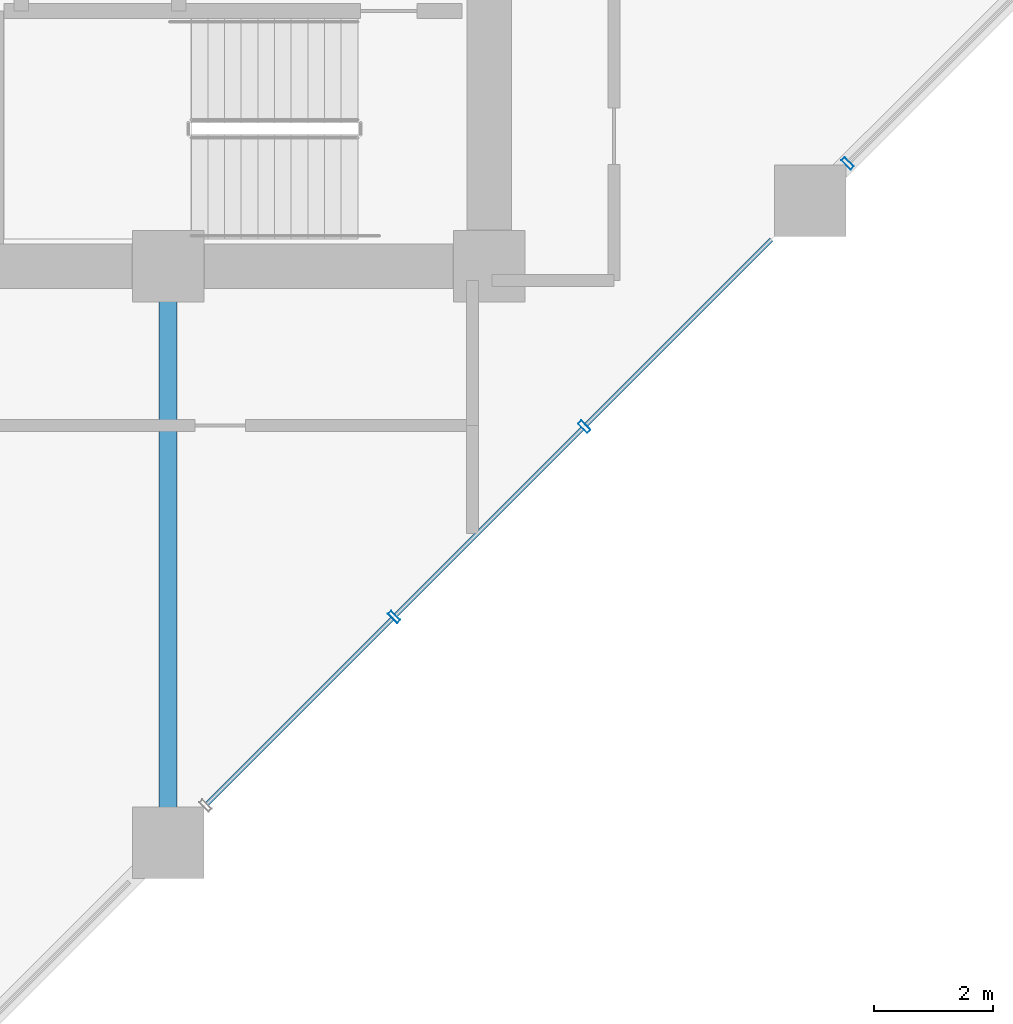
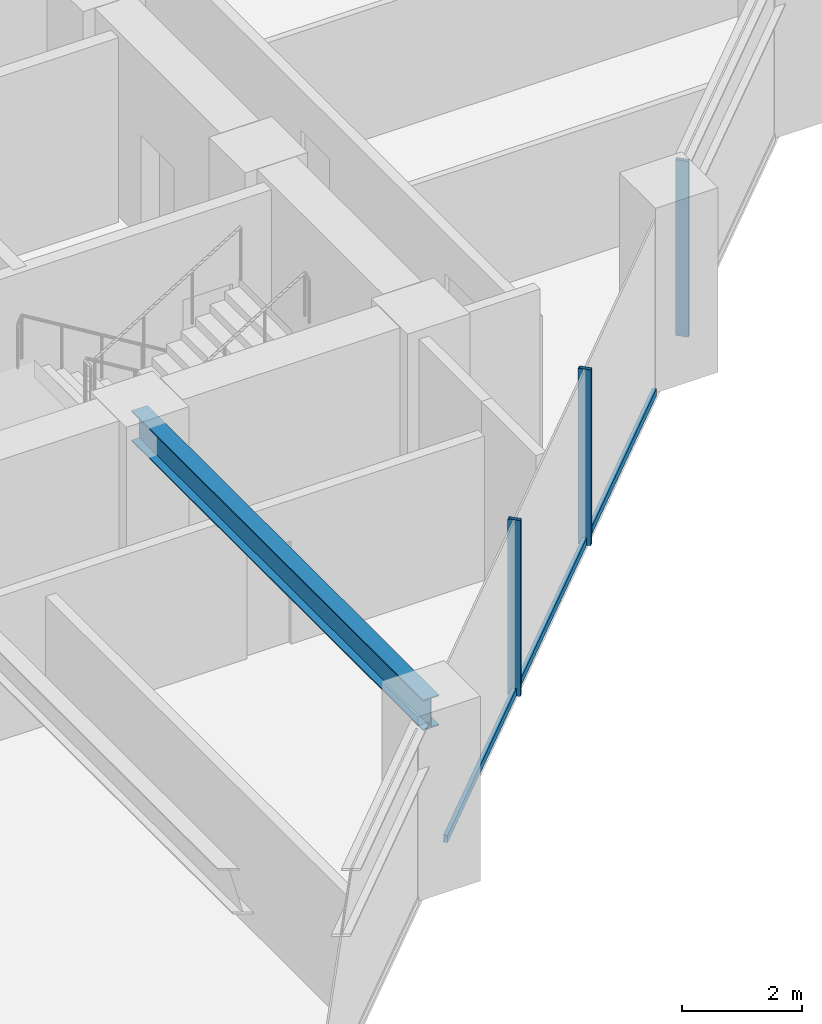
# One storey, part 8 of 28: 6 members, 1 beam, 1 element without a shape of its own.
"""IFC4 building model written with IfcOpenShell, lengths in metres."""

from ifc_helpers import new_model, si_unit, direction, frame, origin, origin_2d, place, context, subcontext, project, spatial, hollow_rectangle, i_section, extrude, material, layer, layer_set, material_profile, profile_set, type_object, element, aggregate, save


model = new_model("IFC4")

# Units and contexts
model_context = context("Model", 3, precision=1e-05, world=origin(), true_north=direction((0.0, 1.0)))
body_context = subcontext(model_context, "Body", "Model", "MODEL_VIEW")
ifc_project = project(units=[si_unit("LENGTHUNIT", "METRE"), si_unit("AREAUNIT", "SQUARE_METRE"), si_unit("VOLUMEUNIT", "CUBIC_METRE"), si_unit("PLANEANGLEUNIT", "RADIAN"), si_unit("MASSUNIT", "GRAM", prefix="KILO")], contexts=[model_context])

# Site, building, storey
site_placement = place(None, origin())
site = spatial("IfcSite", under=ifc_project, at=site_placement, CompositionType="ELEMENT")
building_placement = place(site_placement, origin())
building = spatial("IfcBuilding", under=site, at=building_placement, Name="Surkhivell Harbour Commons", CompositionType="ELEMENT")
storey_placement = place(building_placement, frame((0.0, 0.0, 67.5)))
storey = spatial("IfcBuildingStorey", under=building, at=storey_placement, Name="L17", CompositionType="ELEMENT", Elevation=67.5)

# Beam
ifc_material_1 = material(Name="Steel S355", Category="steel")
ifc_material_profile_1 = material_profile(ifc_material_1, i_section(OverallWidth=0.306884765625, OverallDepth=0.6201171875, WebThickness=0.01416015625, FlangeThickness=0.023681640625, at=origin_2d()), Name="UB610x305x179")
ifc_profile_set_1 = profile_set([ifc_material_profile_1], Name="Steel S355")
beam_type = type_object("IfcBeamType", Name="BM-GRD-610A", PredefinedType="BEAM", material=ifc_profile_set_1)
beam_placement = place(storey_placement, frame((5.39990234375, -20.5, 3.260009765625), z_axis=(0.0, 1.0, 0.0), x_axis=(-1.0, 0.0, 0.0)))
element("IfcBeam", 1, at=beam_placement, inside=storey, type_object=beam_type, Name="L17 Floor Girder (5.4,-20.5)", PredefinedType="BEAM", context=body_context, shape_type="SweptSolid", body=[
    extrude(i_section(OverallWidth=0.306884765625, OverallDepth=0.6201171875, WebThickness=0.01416015625, FlangeThickness=0.023681640625, at=origin_2d()), origin(), (0.0, 0.0, 1.0), 9.699951171875),
])

# Curtain wall, members
ifc_material_2 = material(Name="Anodised pale-metal aluminium and insulated glazing", Category="aluminium")
ifc_layer = layer(ifc_material_2, 0.219970703125)
ifc_layer_set = layer_set([ifc_layer], Name="Anodised pale-metal aluminium and insulated glazing")
curtain_wall_type = type_object("IfcCurtainWallType", Name="CW-SYS-Z1", PredefinedType="NOTDEFINED", material=ifc_layer_set)
curtain_wall_placement = place(storey_placement, origin())
curtain_wall = element("IfcCurtainWall", 2, at=curtain_wall_placement, inside=storey, type_object=curtain_wall_type, Name="L17 Curtain Wall CW-L17-E01", PredefinedType="NOTDEFINED")
ifc_material_3 = material(Name="Anodised pale-metal aluminium alloy 6063-T6", Category="aluminium")
ifc_material_profile_2 = material_profile(ifc_material_3, hollow_rectangle(XDim=0.074951171875, YDim=0.219970703125, WallThickness=0.00390625, at=origin_2d()), Name="ALU-MULL-75x220")
ifc_profile_set_2 = profile_set([ifc_material_profile_2], Name="Anodised pale-metal aluminium alloy 6063-T6")
member_type_1 = type_object("IfcMemberType", Name="CWM-220", PredefinedType="MULLION", material=ifc_profile_set_2)
member_1_placement = place(storey_placement, frame((9.20068359375, -16.699462890625, 0.0), z_axis=(0.0, 0.0, 1.0), x_axis=(0.707106781187, 0.707106781187, 0.0)))
member_1 = element("IfcMember", 3, at=member_1_placement, type_object=member_type_1, Name="CW-Z1 mullion 3", PredefinedType="MULLION", context=body_context, shape_type="SweptSolid", body=[
    extrude(hollow_rectangle(XDim=0.074951171875, YDim=0.219970703125, WallThickness=0.00390625, at=origin_2d()), origin(), (0.0, 0.0, 1.0), 3.570068359375),
])
member_2_placement = place(storey_placement, frame((12.3994140625, -13.50048828125, 0.0), z_axis=(0.0, 0.0, 1.0), x_axis=(0.707106781187, 0.707106781187, 0.0)))
member_2 = element("IfcMember", 4, at=member_2_placement, type_object=member_type_1, Name="CW-Z1 mullion 4", PredefinedType="MULLION", context=body_context, shape_type="SweptSolid", body=[
    extrude(hollow_rectangle(XDim=0.074951171875, YDim=0.219970703125, WallThickness=0.00390625, at=origin_2d()), origin(), (0.0, 0.0, 1.0), 3.570068359375),
])
member_3_placement = place(storey_placement, frame((16.828369140625, -9.07177734375, 0.0), z_axis=(0.0, 0.0, 1.0), x_axis=(0.707106781187, 0.707106781187, 0.0)))
member_3 = element("IfcMember", 5, at=member_3_placement, type_object=member_type_1, Name="CW-Z1 mullion 5", PredefinedType="MULLION", context=body_context, shape_type="SweptSolid", body=[
    extrude(hollow_rectangle(XDim=0.074951171875, YDim=0.219970703125, WallThickness=0.00390625, at=origin_2d()), origin(), (0.0, 0.0, 1.0), 3.570068359375),
])
ifc_material_profile_3 = material_profile(ifc_material_3, hollow_rectangle(XDim=0.074951171875, YDim=0.14990234375, WallThickness=0.00341796875, at=origin_2d()), Name="ALU-TRAN-75x150")
ifc_profile_set_3 = profile_set([ifc_material_profile_3], Name="Anodised pale-metal aluminium alloy 6063-T6")
member_type_2 = type_object("IfcMemberType", Name="CWT-150", PredefinedType="USERDEFINED", material=ifc_profile_set_3)
member_4_placement = place(storey_placement, frame((6.0546875, -19.84521484375, 0.074951171875), z_axis=(0.707106781187, 0.707106781187, 0.0), x_axis=(-0.707106781187, 0.707106781187, 0.0)))
member_4 = element("IfcMember", 6, at=member_4_placement, type_object=member_type_2, Name="CW-Z1 transom 2.1", ObjectType="TRANSOM", PredefinedType="USERDEFINED", context=body_context, shape_type="SweptSolid", body=[
    extrude(hollow_rectangle(XDim=0.074951171875, YDim=0.14990234375, WallThickness=0.00341796875, at=origin_2d()), origin(), (0.0, 0.0, 1.0), 4.411376953125),
])
member_5_placement = place(storey_placement, frame((9.22705078125, -16.6728515625, 0.074951171875), z_axis=(0.707106781187, 0.707106781187, 0.0), x_axis=(-0.707106781187, 0.707106781187, 0.0)))
member_5 = element("IfcMember", 7, at=member_5_placement, type_object=member_type_2, Name="CW-Z1 transom 3.1", ObjectType="TRANSOM", PredefinedType="USERDEFINED", context=body_context, shape_type="SweptSolid", body=[
    extrude(hollow_rectangle(XDim=0.074951171875, YDim=0.14990234375, WallThickness=0.00341796875, at=origin_2d()), origin(), (0.0, 0.0, 1.0), 4.44873046875),
])
member_6_placement = place(storey_placement, frame((12.426025390625, -13.47412109375, 0.074951171875), z_axis=(0.707079108482, 0.707134452808, 0.0), x_axis=(-0.707134452808, 0.707079108482, 0.0)))
member_6 = element("IfcMember", 8, at=member_6_placement, type_object=member_type_2, Name="CW-Z1 transom 4.1", ObjectType="TRANSOM", PredefinedType="USERDEFINED", context=body_context, shape_type="SweptSolid", body=[
    extrude(hollow_rectangle(XDim=0.074951171875, YDim=0.14990234375, WallThickness=0.00341796875, at=origin_2d()), origin(), (0.0, 0.0, 1.0), 4.411376953125),
])
aggregate(curtain_wall, [member_1, member_2, member_4, member_5, member_6, member_3])

save(model, "model.ifc")
